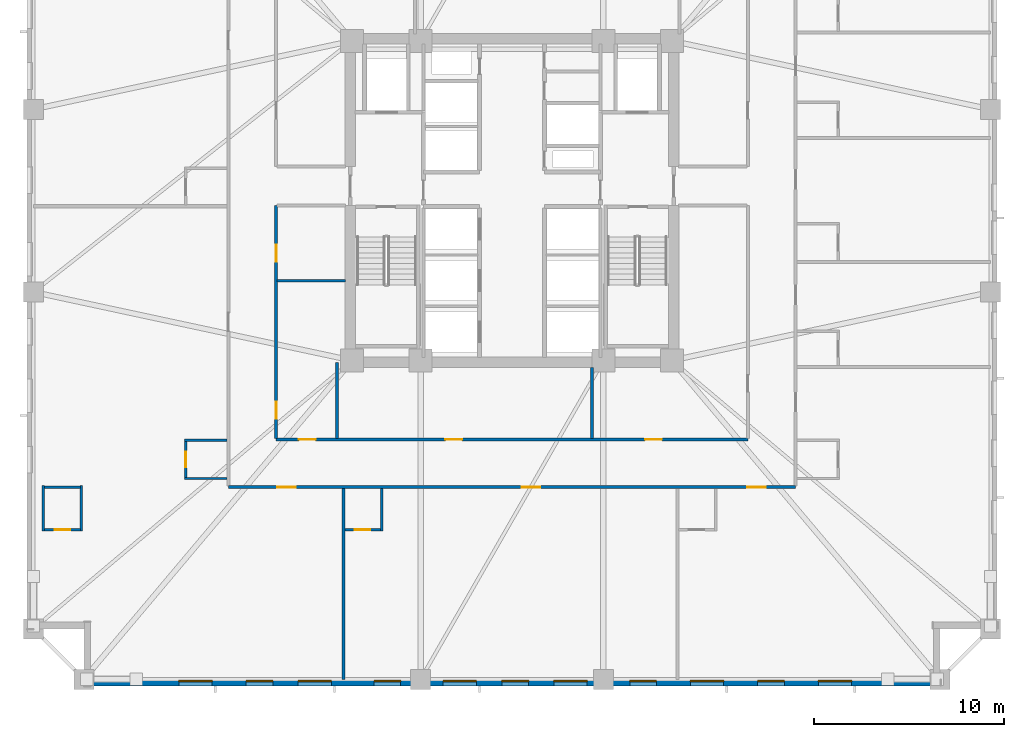
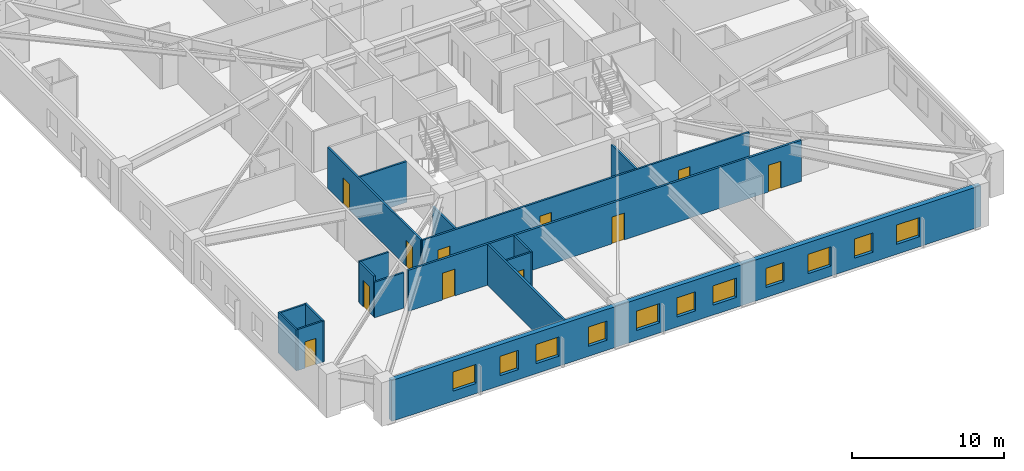
# One storey, part 2 of 11: 17 walls, 11 doors, 11 windows, 22 openings.
"""IFC4 building model written with IfcOpenShell, lengths in metres."""

from ifc_helpers import new_model, si_unit, direction, frame, frame_2d, origin, place, context, subcontext, project, spatial, rectangle, extrude, material, layer, layer_set, type_object, element, fill, save


model = new_model("IFC4")

# Units and contexts
model_context = context("Model", 3, precision=1e-05, world=origin(), true_north=direction((0.0, 1.0)))
body_context = subcontext(model_context, "Body", "Model", "MODEL_VIEW")
ifc_project = project(units=[si_unit("LENGTHUNIT", "METRE"), si_unit("AREAUNIT", "SQUARE_METRE"), si_unit("VOLUMEUNIT", "CUBIC_METRE"), si_unit("PLANEANGLEUNIT", "RADIAN"), si_unit("MASSUNIT", "GRAM", prefix="KILO")], contexts=[model_context])

# Site, building, storey
site_placement = place(None, origin())
site = spatial("IfcSite", under=ifc_project, at=site_placement, CompositionType="ELEMENT")
building_placement = place(site_placement, origin())
building = spatial("IfcBuilding", under=site, at=building_placement, Name="Cairnveth Concourse Tower", CompositionType="ELEMENT")
storey_placement = place(building_placement, frame((0.0, 0.0, 86.5)))
storey = spatial("IfcBuildingStorey", under=building, at=storey_placement, Name="L23", CompositionType="ELEMENT", Elevation=86.5)

# Wall, openings, doors
ifc_material_1 = material(Name="Gypsum Plasterboard Partition", Category="gypsum")
ifc_layer_1 = layer(ifc_material_1, 0.159912109375)
ifc_layer_set_1 = layer_set([ifc_layer_1], Name="Gypsum Plasterboard Partition")
wall_type_1 = type_object("IfcWallType", Name="ACOUSTIC PARTY WALL 180", PredefinedType="PARTITIONING", material=ifc_layer_set_1)
wall_1_placement = place(storey_placement, frame((37.10009765625, 23.949951171875, 0.0), z_axis=(0.0, 0.0, 1.0), x_axis=(1.0, 0.0, 0.0)))
wall_1 = element("IfcWall", 1, at=wall_1_placement, inside=storey, type_object=wall_type_1, Name="Interior Wall IW-L23-038", PredefinedType="PARTITIONING", context=body_context, shape_type="SweptSolid", body=[
    extrude(rectangle(XDim=29.7998046875, YDim=0.159912109375, at=frame_2d((14.89990234375, 0.0))), origin(), (0.0, 0.0, 1.0), 3.280029296875),
])
opening_1_placement = place(wall_1_placement, frame((2.5712890625, 0.0, 0.0)))
opening_1 = element("IfcOpeningElement", 2, at=opening_1_placement, cuts=wall_1, Name="Opening ID09", PredefinedType="OPENING", context=body_context, shape_type="SweptSolid", body=[
    extrude(rectangle(XDim=0.9599609375, YDim=2.14990234375, at=frame_2d((0.47998046875, 1.074951171875))), frame((0.0, 0.08984375, 0.0), z_axis=(0.0, -1.0, 0.0), x_axis=(1.0, 0.0, 0.0)), (0.0, 0.0, 1.0), 0.179931640625),
])
opening_2_placement = place(wall_1_placement, frame((15.419921875, 0.0, 0.0)))
opening_2 = element("IfcOpeningElement", 3, at=opening_2_placement, cuts=wall_1, Name="Opening ID09", PredefinedType="OPENING", context=body_context, shape_type="SweptSolid", body=[
    extrude(rectangle(XDim=0.9599609375, YDim=2.14990234375, at=frame_2d((0.47998046875, 1.074951171875))), frame((0.0, 0.08984375, 0.0), z_axis=(0.0, -1.0, 0.0), x_axis=(1.0, 0.0, 0.0)), (0.0, 0.0, 1.0), 0.179931640625),
])
opening_3_placement = place(wall_1_placement, frame((27.268798828125, 0.0, 0.0)))
opening_3 = element("IfcOpeningElement", 4, at=opening_3_placement, cuts=wall_1, Name="Opening ID09", PredefinedType="OPENING", context=body_context, shape_type="SweptSolid", body=[
    extrude(rectangle(XDim=0.9599609375, YDim=2.14990234375, at=frame_2d((0.47998046875, 1.074951171875))), frame((0.0, 0.08984375, 0.0), z_axis=(0.0, -1.0, 0.0), x_axis=(1.0, 0.0, 0.0)), (0.0, 0.0, 1.0), 0.179931640625),
])
ifc_material_2 = material(Name="Solid Core Hardwood Timber Leaf", Category="wood")
door_type_1 = type_object("IfcDoorType", Name="HOTEL ENTRANCE DOOR 960X2150", OperationType="NOTDEFINED", PredefinedType="DOOR", material=ifc_material_2)
door_1_placement = place(opening_1_placement, origin())
door_1 = element("IfcDoor", 5, at=door_1_placement, inside=storey, type_object=door_type_1, Name="Hotel Room Door L23-S1", OperationType="SINGLE_SWING_RIGHT", OverallHeight=2.14990234375, OverallWidth=0.9599609375, PredefinedType="DOOR", context=body_context, shape_type="SweptSolid", body=[
    extrude(rectangle(XDim=0.9599609375, YDim=2.14990234375, at=frame_2d((0.47998046875, 1.074951171875))), frame((0.0, 0.02490234375, 0.0), z_axis=(0.0, -1.0, 0.0), x_axis=(1.0, 0.0, 0.0)), (0.0, 0.0, 1.0), 0.050048828125),
])
fill(opening_1, door_1)
door_2_placement = place(opening_2_placement, origin())
door_2 = element("IfcDoor", 6, at=door_2_placement, inside=storey, type_object=door_type_1, Name="Hotel Room Door L23-S2", OperationType="SINGLE_SWING_RIGHT", OverallHeight=2.14990234375, OverallWidth=0.9599609375, PredefinedType="DOOR", context=body_context, shape_type="SweptSolid", body=[
    extrude(rectangle(XDim=0.9599609375, YDim=2.14990234375, at=frame_2d((0.47998046875, 1.074951171875))), frame((0.0, 0.02490234375, 0.0), z_axis=(0.0, -1.0, 0.0), x_axis=(1.0, 0.0, 0.0)), (0.0, 0.0, 1.0), 0.050048828125),
])
fill(opening_2, door_2)
door_3_placement = place(opening_3_placement, origin())
door_3 = element("IfcDoor", 7, at=door_3_placement, inside=storey, type_object=door_type_1, Name="Hotel Room Door L23-S3", OperationType="SINGLE_SWING_RIGHT", OverallHeight=2.14990234375, OverallWidth=0.9599609375, PredefinedType="DOOR", context=body_context, shape_type="SweptSolid", body=[
    extrude(rectangle(XDim=0.9599609375, YDim=2.14990234375, at=frame_2d((0.47998046875, 1.074951171875))), frame((0.0, 0.02490234375, 0.0), z_axis=(0.0, -1.0, 0.0), x_axis=(1.0, 0.0, 0.0)), (0.0, 0.0, 1.0), 0.050048828125),
])
fill(opening_3, door_3)

# Wall
wall_2_placement = place(storey_placement, frame((43.152587890625, 13.844970703125, 0.0), z_axis=(0.0, 0.0, 1.0), x_axis=(0.0, 1.0, 0.0)))
element("IfcWall", 8, at=wall_2_placement, inside=storey, type_object=wall_type_1, Name="Interior Wall IW-L23-061", PredefinedType="PARTITIONING", context=body_context, shape_type="SweptSolid", body=[
    extrude(rectangle(XDim=10.0400390625, YDim=0.159912109375, at=frame_2d((5.02001953125, 0.0))), origin(), (0.0, 0.0, 1.0), 3.280029296875),
])

# Wall, openings, doors
ifc_layer_2 = layer(ifc_material_1, 0.139892578125)
ifc_layer_set_2 = layer_set([ifc_layer_2], Name="Gypsum Plasterboard Partition")
wall_type_2 = type_object("IfcWallType", Name="GYPSUM STUD PARTITION 140", PredefinedType="PARTITIONING", material=ifc_layer_set_2)
wall_3_placement = place(storey_placement, frame((39.60009765625, 26.449951171875, 0.0), z_axis=(0.0, 0.0, 1.0), x_axis=(1.0, 0.0, 0.0)))
wall_3 = element("IfcWall", 9, at=wall_3_placement, inside=storey, type_object=wall_type_2, Name="Interior Wall IW-L23-042", PredefinedType="PARTITIONING", context=body_context, shape_type="SweptSolid", body=[
    extrude(rectangle(XDim=24.7998046875, YDim=0.139892578125, at=frame_2d((12.39990234375, 0.0))), origin(), (0.0, 0.0, 1.0), 3.280029296875),
])
opening_4_placement = place(wall_3_placement, frame((1.199951171875, 0.0, 0.0)))
opening_4 = element("IfcOpeningElement", 10, at=opening_4_placement, cuts=wall_3, Name="Opening ID18", PredefinedType="OPENING", context=body_context, shape_type="SweptSolid", body=[
    extrude(rectangle(XDim=0.8798828125, YDim=2.10009765625, at=frame_2d((0.43994140625, 1.050048828125))), frame((0.0, 0.079833984375, 0.0), z_axis=(0.0, -1.0, 0.0), x_axis=(1.0, 0.0, 0.0)), (0.0, 0.0, 1.0), 0.159912109375),
])
opening_5_placement = place(wall_3_placement, frame((8.89990234375, 0.0, 0.0)))
opening_5 = element("IfcOpeningElement", 11, at=opening_5_placement, cuts=wall_3, Name="Opening ID18", PredefinedType="OPENING", context=body_context, shape_type="SweptSolid", body=[
    extrude(rectangle(XDim=0.8798828125, YDim=2.10009765625, at=frame_2d((0.43994140625, 1.050048828125))), frame((0.0, 0.079833984375, 0.0), z_axis=(0.0, -1.0, 0.0), x_axis=(1.0, 0.0, 0.0)), (0.0, 0.0, 1.0), 0.159912109375),
])
opening_6_placement = place(wall_3_placement, frame((19.39990234375, 0.0, 0.0)))
opening_6 = element("IfcOpeningElement", 12, at=opening_6_placement, cuts=wall_3, Name="Opening ID18", PredefinedType="OPENING", context=body_context, shape_type="SweptSolid", body=[
    extrude(rectangle(XDim=0.8798828125, YDim=2.10009765625, at=frame_2d((0.43994140625, 1.050048828125))), frame((0.0, 0.079833984375, 0.0), z_axis=(0.0, -1.0, 0.0), x_axis=(1.0, 0.0, 0.0)), (0.0, 0.0, 1.0), 0.159912109375),
])
door_type_2 = type_object("IfcDoorType", Name="INTERIOR SINGLE DOOR 880X2100", OperationType="NOTDEFINED", PredefinedType="DOOR", material=ifc_material_2)
door_4_placement = place(opening_4_placement, origin())
door_4 = element("IfcDoor", 13, at=door_4_placement, inside=storey, type_object=door_type_2, Name="Interior Door DR-L23-014", OperationType="SINGLE_SWING_RIGHT", OverallHeight=2.10009765625, OverallWidth=0.8798828125, PredefinedType="DOOR", context=body_context, shape_type="SweptSolid", body=[
    extrude(rectangle(XDim=0.8798828125, YDim=2.10009765625, at=frame_2d((0.43994140625, 1.050048828125))), frame((0.0, 0.02490234375, 0.0), z_axis=(0.0, -1.0, 0.0), x_axis=(1.0, 0.0, 0.0)), (0.0, 0.0, 1.0), 0.050048828125),
])
fill(opening_4, door_4)
door_5_placement = place(opening_5_placement, origin())
door_5 = element("IfcDoor", 14, at=door_5_placement, inside=storey, type_object=door_type_2, Name="Interior Door DR-L23-015", OperationType="SINGLE_SWING_LEFT", OverallHeight=2.10009765625, OverallWidth=0.8798828125, PredefinedType="DOOR", context=body_context, shape_type="SweptSolid", body=[
    extrude(rectangle(XDim=0.8798828125, YDim=2.10009765625, at=frame_2d((0.43994140625, 1.050048828125))), frame((0.0, 0.02490234375, 0.0), z_axis=(0.0, -1.0, 0.0), x_axis=(1.0, 0.0, 0.0)), (0.0, 0.0, 1.0), 0.050048828125),
])
fill(opening_5, door_5)
door_6_placement = place(opening_6_placement, origin())
door_6 = element("IfcDoor", 15, at=door_6_placement, inside=storey, type_object=door_type_2, Name="Interior Door DR-L23-016", OperationType="SINGLE_SWING_RIGHT", OverallHeight=2.10009765625, OverallWidth=0.8798828125, PredefinedType="DOOR", context=body_context, shape_type="SweptSolid", body=[
    extrude(rectangle(XDim=0.8798828125, YDim=2.10009765625, at=frame_2d((0.43994140625, 1.050048828125))), frame((0.0, 0.02490234375, 0.0), z_axis=(0.0, -1.0, 0.0), x_axis=(1.0, 0.0, 0.0)), (0.0, 0.0, 1.0), 0.050048828125),
])
fill(opening_6, door_6)

wall_4_placement = place(storey_placement, frame((39.60009765625, 26.5048828125, 0.0), z_axis=(0.0, 0.0, 1.0), x_axis=(0.0, 1.0, 0.0)))
wall_4 = element("IfcWall", 16, at=wall_4_placement, inside=storey, type_object=wall_type_2, Name="Interior Wall IW-L23-044", PredefinedType="PARTITIONING", context=body_context, shape_type="SweptSolid", body=[
    extrude(rectangle(XDim=12.2451171875, YDim=0.139892578125, at=frame_2d((6.12255859375, 0.0))), origin(), (0.0, 0.0, 1.0), 3.280029296875),
])
opening_7_placement = place(wall_4_placement, frame((1.044921875, 0.0, 0.0)))
opening_7 = element("IfcOpeningElement", 17, at=opening_7_placement, cuts=wall_4, Name="Opening ID18", PredefinedType="OPENING", context=body_context, shape_type="SweptSolid", body=[
    extrude(rectangle(XDim=0.8798828125, YDim=2.10009765625, at=frame_2d((0.43994140625, 1.050048828125))), frame((0.0, 0.079833984375, 0.0), z_axis=(0.0, -1.0, 0.0), x_axis=(1.0, 0.0, 0.0)), (0.0, 0.0, 1.0), 0.159912109375),
])
opening_8_placement = place(wall_4_placement, frame((9.294921875, 0.0, 0.0)))
opening_8 = element("IfcOpeningElement", 18, at=opening_8_placement, cuts=wall_4, Name="Opening ID18", PredefinedType="OPENING", context=body_context, shape_type="SweptSolid", body=[
    extrude(rectangle(XDim=0.8798828125, YDim=2.10009765625, at=frame_2d((0.43994140625, 1.050048828125))), frame((0.0, 0.079833984375, 0.0), z_axis=(0.0, -1.0, 0.0), x_axis=(1.0, 0.0, 0.0)), (0.0, 0.0, 1.0), 0.159912109375),
])
door_7_placement = place(opening_7_placement, origin())
door_7 = element("IfcDoor", 19, at=door_7_placement, inside=storey, type_object=door_type_2, Name="Interior Door DR-L23-020", OperationType="SINGLE_SWING_RIGHT", OverallHeight=2.10009765625, OverallWidth=0.8798828125, PredefinedType="DOOR", context=body_context, shape_type="SweptSolid", body=[
    extrude(rectangle(XDim=0.8798828125, YDim=2.10009765625, at=frame_2d((0.43994140625, 1.050048828125))), frame((0.0, 0.02490234375, 0.0), z_axis=(0.0, -1.0, 0.0), x_axis=(1.0, 0.0, 0.0)), (0.0, 0.0, 1.0), 0.050048828125),
])
fill(opening_7, door_7)
door_8_placement = place(opening_8_placement, origin())
door_8 = element("IfcDoor", 20, at=door_8_placement, inside=storey, type_object=door_type_2, Name="Interior Door DR-L23-021", OperationType="SINGLE_SWING_LEFT", OverallHeight=2.10009765625, OverallWidth=0.8798828125, PredefinedType="DOOR", context=body_context, shape_type="SweptSolid", body=[
    extrude(rectangle(XDim=0.8798828125, YDim=2.10009765625, at=frame_2d((0.43994140625, 1.050048828125))), frame((0.0, 0.02490234375, 0.0), z_axis=(0.0, -1.0, 0.0), x_axis=(1.0, 0.0, 0.0)), (0.0, 0.0, 1.0), 0.050048828125),
])
fill(opening_8, door_8)

# Walls
wall_5_placement = place(storey_placement, frame((42.800048828125, 26.5048828125, 0.0), z_axis=(0.0, 0.0, 1.0), x_axis=(0.0, 1.0, 0.0)))
element("IfcWall", 21, at=wall_5_placement, inside=storey, type_object=wall_type_2, Name="Interior Wall IW-L23-052", PredefinedType="PARTITIONING", context=body_context, shape_type="SweptSolid", body=[
    extrude(rectangle(XDim=3.9951171875, YDim=0.139892578125, at=frame_2d((1.99755859375, 0.0))), origin(), (0.0, 0.0, 1.0), 2.43896484375),
])
wall_6_placement = place(storey_placement, frame((56.199951171875, 26.5048828125, 0.0), z_axis=(0.0, 0.0, 1.0), x_axis=(0.0, 1.0, 0.0)))
element("IfcWall", 22, at=wall_6_placement, inside=storey, type_object=wall_type_2, Name="Interior Wall IW-L23-053", PredefinedType="PARTITIONING", context=body_context, shape_type="SweptSolid", body=[
    extrude(rectangle(XDim=3.735107421875, YDim=0.139892578125, at=frame_2d((1.86767578125, 0.0))), origin(), (0.0, 0.0, 1.0), 2.84912109375),
])
wall_7_placement = place(storey_placement, frame((39.655029296875, 34.800048828125, 0.0), z_axis=(0.0, 0.0, 1.0), x_axis=(1.0, 0.0, 0.0)))
element("IfcWall", 23, at=wall_7_placement, inside=storey, type_object=wall_type_2, Name="Interior Wall IW-L23-056", PredefinedType="PARTITIONING", context=body_context, shape_type="SweptSolid", body=[
    extrude(rectangle(XDim=3.5849609375, YDim=0.139892578125, at=frame_2d((1.79248046875, 0.0))), origin(), (0.0, 0.0, 1.0), 3.280029296875),
])
ifc_layer_3 = layer(ifc_material_1, 0.1298828125)
ifc_layer_set_3 = layer_set([ifc_layer_3], Name="Gypsum Plasterboard Partition")
wall_type_3 = type_object("IfcWallType", Name="WET AREA PARTITION 140", PredefinedType="PLUMBINGWALL", material=ifc_layer_set_3)
for number, where, z_axis, x_axis, name in (
    (24, (27.3701171875, 21.64990234375, 0.0), (0.0, 0.0, 1.0), (0.0, 1.0, 0.0), "Interior Wall IW-L23-057"),
    (25, (29.3701171875, 21.64990234375, 0.0), (0.0, 0.0, 1.0), (0.0, 1.0, 0.0), "Interior Wall IW-L23-058"),
):
    element("IfcWall", number, at=place(storey_placement, frame(where, z_axis=z_axis, x_axis=x_axis)), inside=storey, type_object=wall_type_3, Name=name, PredefinedType="PLUMBINGWALL", context=body_context, shape_type="SweptSolid", body=[
        extrude(rectangle(XDim=2.380126953125, YDim=0.1298828125, at=frame_2d((1.18994140625, 0.0))), origin(), (0.0, 0.0, 1.0), 3.280029296875),
    ])

# Wall, opening, door
wall_8_placement = place(storey_placement, frame((27.419921875, 21.699951171875, 0.0), z_axis=(0.0, 0.0, 1.0), x_axis=(1.0, 0.0, 0.0)))
wall_8 = element("IfcWall", 26, at=wall_8_placement, inside=storey, type_object=wall_type_3, Name="Interior Wall IW-L23-059", PredefinedType="PLUMBINGWALL", context=body_context, shape_type="SweptSolid", body=[
    extrude(rectangle(XDim=1.900146484375, YDim=0.1298828125, at=frame_2d((0.9501953125, 0.0))), origin(), (0.0, 0.0, 1.0), 3.280029296875),
])
opening_9_placement = place(wall_8_placement, frame((0.5400390625, 0.0, 0.0)))
opening_9 = element("IfcOpeningElement", 27, at=opening_9_placement, cuts=wall_8, Name="Opening ID22", PredefinedType="OPENING", context=body_context, shape_type="SweptSolid", body=[
    extrude(rectangle(XDim=0.820068359375, YDim=2.10009765625, at=frame_2d((0.41015625, 1.050048828125))), frame((0.0, 0.074951171875, 0.0), z_axis=(0.0, -1.0, 0.0), x_axis=(1.0, 0.0, 0.0)), (0.0, 0.0, 1.0), 0.14990234375),
])
door_type_3 = type_object("IfcDoorType", Name="INTERIOR WC DOOR 820X2100", OperationType="NOTDEFINED", PredefinedType="DOOR", material=ifc_material_2)
door_9_placement = place(opening_9_placement, origin())
door_9 = element("IfcDoor", 28, at=door_9_placement, inside=storey, type_object=door_type_3, Name="En-Suite Door L23-S1", OperationType="SINGLE_SWING_LEFT", OverallHeight=2.10009765625, OverallWidth=0.820068359375, PredefinedType="DOOR", context=body_context, shape_type="SweptSolid", body=[
    extrude(rectangle(XDim=0.820068359375, YDim=2.10009765625, at=frame_2d((0.41015625, 1.050048828125))), frame((0.0, 0.02490234375, 0.0), z_axis=(0.0, -1.0, 0.0), x_axis=(1.0, 0.0, 0.0)), (0.0, 0.0, 1.0), 0.050048828125),
])
fill(opening_9, door_9)

# Walls
wall_9_placement = place(storey_placement, frame((27.419921875, 23.949951171875, 0.0), z_axis=(0.0, 0.0, 1.0), x_axis=(1.0, 0.0, 0.0)))
element("IfcWall", 29, at=wall_9_placement, inside=storey, type_object=wall_type_3, Name="Interior Wall IW-L23-060", PredefinedType="PLUMBINGWALL", context=body_context, shape_type="SweptSolid", body=[
    extrude(rectangle(XDim=1.900146484375, YDim=0.1298828125, at=frame_2d((0.9501953125, 0.0))), origin(), (0.0, 0.0, 1.0), 3.280029296875),
])
wall_10_placement = place(storey_placement, frame((45.152587890625, 21.64990234375, 0.0), z_axis=(0.0, 0.0, 1.0), x_axis=(0.0, 1.0, 0.0)))
element("IfcWall", 30, at=wall_10_placement, inside=storey, type_object=wall_type_3, Name="Interior Wall IW-L23-062", PredefinedType="PLUMBINGWALL", context=body_context, shape_type="SweptSolid", body=[
    extrude(rectangle(XDim=2.235107421875, YDim=0.1298828125, at=frame_2d((1.11767578125, 0.0))), origin(), (0.0, 0.0, 1.0), 3.280029296875),
])

# Wall, opening, door
wall_11_placement = place(storey_placement, frame((43.217529296875, 21.699951171875, 0.0), z_axis=(0.0, 0.0, 1.0), x_axis=(1.0, 0.0, 0.0)))
wall_11 = element("IfcWall", 31, at=wall_11_placement, inside=storey, type_object=wall_type_3, Name="Interior Wall IW-L23-063", PredefinedType="PLUMBINGWALL", context=body_context, shape_type="SweptSolid", body=[
    extrude(rectangle(XDim=1.885009765625, YDim=0.1298828125, at=frame_2d((0.9423828125, 0.0))), origin(), (0.0, 0.0, 1.0), 3.280029296875),
])
opening_10_placement = place(wall_11_placement, frame((0.52490234375, 0.0, 0.0)))
opening_10 = element("IfcOpeningElement", 32, at=opening_10_placement, cuts=wall_11, Name="Opening ID22", PredefinedType="OPENING", context=body_context, shape_type="SweptSolid", body=[
    extrude(rectangle(XDim=0.820068359375, YDim=2.10009765625, at=frame_2d((0.41015625, 1.050048828125))), frame((0.0, 0.074951171875, 0.0), z_axis=(0.0, -1.0, 0.0), x_axis=(1.0, 0.0, 0.0)), (0.0, 0.0, 1.0), 0.14990234375),
])
door_10_placement = place(opening_10_placement, origin())
door_10 = element("IfcDoor", 33, at=door_10_placement, inside=storey, type_object=door_type_3, Name="En-Suite Door L23-S2", OperationType="SINGLE_SWING_LEFT", OverallHeight=2.10009765625, OverallWidth=0.820068359375, PredefinedType="DOOR", context=body_context, shape_type="SweptSolid", body=[
    extrude(rectangle(XDim=0.820068359375, YDim=2.10009765625, at=frame_2d((0.41015625, 1.050048828125))), frame((0.0, 0.02490234375, 0.0), z_axis=(0.0, -1.0, 0.0), x_axis=(1.0, 0.0, 0.0)), (0.0, 0.0, 1.0), 0.050048828125),
])
fill(opening_10, door_10)

# Walls
wall_12_placement = place(storey_placement, frame((34.800048828125, 24.39990234375, 0.0), z_axis=(0.0, 0.0, 1.0), x_axis=(1.0, 0.0, 0.0)))
element("IfcWall", 34, at=wall_12_placement, inside=storey, type_object=wall_type_3, Name="Interior Wall IW-L23-089", PredefinedType="PLUMBINGWALL", context=body_context, shape_type="SweptSolid", body=[
    extrude(rectangle(XDim=2.23486328125, YDim=0.1298828125, at=frame_2d((1.117431640625, 0.0))), origin(), (0.0, 0.0, 1.0), 2.84912109375),
])
wall_13_placement = place(storey_placement, frame((34.800048828125, 26.39990234375, 0.0), z_axis=(0.0, 0.0, 1.0), x_axis=(1.0, 0.0, 0.0)))
element("IfcWall", 35, at=wall_13_placement, inside=storey, type_object=wall_type_3, Name="Interior Wall IW-L23-090", PredefinedType="PLUMBINGWALL", context=body_context, shape_type="SweptSolid", body=[
    extrude(rectangle(XDim=2.23486328125, YDim=0.1298828125, at=frame_2d((1.117431640625, 0.0))), origin(), (0.0, 0.0, 1.0), 3.280029296875),
])

# Wall, opening, door
wall_14_placement = place(storey_placement, frame((34.85009765625, 24.449951171875, 0.0), z_axis=(0.0, 0.0, 1.0), x_axis=(0.0, 1.0, 0.0)))
wall_14 = element("IfcWall", 36, at=wall_14_placement, inside=storey, type_object=wall_type_3, Name="Interior Wall IW-L23-091", PredefinedType="PLUMBINGWALL", context=body_context, shape_type="SweptSolid", body=[
    extrude(rectangle(XDim=1.900146484375, YDim=0.1298828125, at=frame_2d((0.9501953125, 0.0))), origin(), (0.0, 0.0, 1.0), 3.280029296875),
])
opening_11_placement = place(wall_14_placement, frame((0.5400390625, 0.0, 0.0)))
opening_11 = element("IfcOpeningElement", 37, at=opening_11_placement, cuts=wall_14, Name="Opening ID22", PredefinedType="OPENING", context=body_context, shape_type="SweptSolid", body=[
    extrude(rectangle(XDim=0.820068359375, YDim=2.10009765625, at=frame_2d((0.41015625, 1.050048828125))), frame((0.0, 0.074951171875, 0.0), z_axis=(0.0, -1.0, 0.0), x_axis=(1.0, 0.0, 0.0)), (0.0, 0.0, 1.0), 0.14990234375),
])
door_11_placement = place(opening_11_placement, origin())
door_11 = element("IfcDoor", 38, at=door_11_placement, inside=storey, type_object=door_type_3, Name="En-Suite Door L23-W1", OperationType="SINGLE_SWING_LEFT", OverallHeight=2.10009765625, OverallWidth=0.820068359375, PredefinedType="DOOR", context=body_context, shape_type="SweptSolid", body=[
    extrude(rectangle(XDim=0.820068359375, YDim=2.10009765625, at=frame_2d((0.41015625, 1.050048828125))), frame((0.0, 0.02490234375, 0.0), z_axis=(0.0, -1.0, 0.0), x_axis=(1.0, 0.0, 0.0)), (0.0, 0.0, 1.0), 0.050048828125),
])
fill(opening_11, door_11)

# Wall, openings, windows
ifc_material_3 = material(Name="Hawthorn Red-Ochre Fired Clay Brick Masonry", Category="masonry")
ifc_layer_4 = layer(ifc_material_3, 0.360107421875)
ifc_layer_set_4 = layer_set([ifc_layer_4], Name="Hawthorn Red-Ochre Fired Clay Brick Masonry")
wall_type_4 = type_object("IfcWallType", Name="ZONE 1 BRICK PIER SPANDREL WALL 360", PredefinedType="SOLIDWALL", material=ifc_layer_set_4)
wall_15_placement = place(storey_placement, frame((74.5, 13.679931640625, 0.0), z_axis=(0.0, 0.0, 1.0), x_axis=(-1.0, 0.0, 0.0)))
wall_15 = element("IfcWall", 39, at=wall_15_placement, inside=storey, type_object=wall_type_4, Name="Exterior Wall EW-L23-S06", PredefinedType="SOLIDWALL", context=body_context, shape_type="SweptSolid", body=[
    extrude(rectangle(XDim=44.662109375, YDim=0.360107421875, at=frame_2d((22.3310546875, 0.0))), origin(), (0.0, 0.0, 1.0), 3.280029296875),
])
opening_12_placement = place(wall_15_placement, frame((4.655029296875, 0.0, 0.800048828125)))
opening_12 = element("IfcOpeningElement", 40, at=opening_12_placement, cuts=wall_15, Name="Opening W06", PredefinedType="OPENING", context=body_context, shape_type="SweptSolid", body=[
    extrude(rectangle(XDim=1.75, YDim=1.5439453125, at=frame_2d((0.875, 0.77197265625))), frame((0.0, 0.18994140625, 0.0), z_axis=(0.0, -1.0, 0.0), x_axis=(1.0, 0.0, 0.0)), (0.0, 0.0, 1.0), 0.380126953125),
])
opening_13_placement = place(wall_15_placement, frame((8.190185546875, 0.0, 0.800048828125)))
opening_13 = element("IfcOpeningElement", 41, at=opening_13_placement, cuts=wall_15, Name="Opening W05", PredefinedType="OPENING", context=body_context, shape_type="SweptSolid", body=[
    extrude(rectangle(XDim=1.39990234375, YDim=1.5439453125, at=frame_2d((0.699951171875, 0.77197265625))), frame((0.0, 0.18994140625, 0.0), z_axis=(0.0, -1.0, 0.0), x_axis=(1.0, 0.0, 0.0)), (0.0, 0.0, 1.0), 0.380126953125),
])
opening_14_placement = place(wall_15_placement, frame((11.37548828125, 0.0, 0.800048828125)))
opening_14 = element("IfcOpeningElement", 42, at=opening_14_placement, cuts=wall_15, Name="Opening W06", PredefinedType="OPENING", context=body_context, shape_type="SweptSolid", body=[
    extrude(rectangle(XDim=1.75, YDim=1.5439453125, at=frame_2d((0.875, 0.77197265625))), frame((0.0, 0.18994140625, 0.0), z_axis=(0.0, -1.0, 0.0), x_axis=(1.0, 0.0, 0.0)), (0.0, 0.0, 1.0), 0.380126953125),
])
opening_15_placement = place(wall_15_placement, frame((14.91064453125, 0.0, 0.800048828125)))
opening_15 = element("IfcOpeningElement", 43, at=opening_15_placement, cuts=wall_15, Name="Opening W05", PredefinedType="OPENING", context=body_context, shape_type="SweptSolid", body=[
    extrude(rectangle(XDim=1.39990234375, YDim=1.5439453125, at=frame_2d((0.699951171875, 0.77197265625))), frame((0.0, 0.18994140625, 0.0), z_axis=(0.0, -1.0, 0.0), x_axis=(1.0, 0.0, 0.0)), (0.0, 0.0, 1.0), 0.380126953125),
])
opening_16_placement = place(wall_15_placement, frame((18.5458984375, 0.0, 0.800048828125)))
opening_16 = element("IfcOpeningElement", 44, at=opening_16_placement, cuts=wall_15, Name="Opening W06", PredefinedType="OPENING", context=body_context, shape_type="SweptSolid", body=[
    extrude(rectangle(XDim=1.75, YDim=1.5439453125, at=frame_2d((0.875, 0.77197265625))), frame((0.0, 0.18994140625, 0.0), z_axis=(0.0, -1.0, 0.0), x_axis=(1.0, 0.0, 0.0)), (0.0, 0.0, 1.0), 0.380126953125),
])
opening_17_placement = place(wall_15_placement, frame((21.631103515625, 0.0, 0.800048828125)))
opening_17 = element("IfcOpeningElement", 45, at=opening_17_placement, cuts=wall_15, Name="Opening W05", PredefinedType="OPENING", context=body_context, shape_type="SweptSolid", body=[
    extrude(rectangle(XDim=1.39990234375, YDim=1.5439453125, at=frame_2d((0.699951171875, 0.77197265625))), frame((0.0, 0.18994140625, 0.0), z_axis=(0.0, -1.0, 0.0), x_axis=(1.0, 0.0, 0.0)), (0.0, 0.0, 1.0), 0.380126953125),
])
opening_18_placement = place(wall_15_placement, frame((24.3662109375, 0.0, 0.800048828125)))
opening_18 = element("IfcOpeningElement", 46, at=opening_18_placement, cuts=wall_15, Name="Opening W06", PredefinedType="OPENING", context=body_context, shape_type="SweptSolid", body=[
    extrude(rectangle(XDim=1.75, YDim=1.5439453125, at=frame_2d((0.875, 0.77197265625))), frame((0.0, 0.18994140625, 0.0), z_axis=(0.0, -1.0, 0.0), x_axis=(1.0, 0.0, 0.0)), (0.0, 0.0, 1.0), 0.380126953125),
])
opening_19_placement = place(wall_15_placement, frame((28.351318359375, 0.0, 0.800048828125)))
opening_19 = element("IfcOpeningElement", 47, at=opening_19_placement, cuts=wall_15, Name="Opening W05", PredefinedType="OPENING", context=body_context, shape_type="SweptSolid", body=[
    extrude(rectangle(XDim=1.39990234375, YDim=1.5439453125, at=frame_2d((0.699951171875, 0.77197265625))), frame((0.0, 0.18994140625, 0.0), z_axis=(0.0, -1.0, 0.0), x_axis=(1.0, 0.0, 0.0)), (0.0, 0.0, 1.0), 0.380126953125),
])
opening_20_placement = place(wall_15_placement, frame((31.986572265625, 0.0, 0.800048828125)))
opening_20 = element("IfcOpeningElement", 48, at=opening_20_placement, cuts=wall_15, Name="Opening W06", PredefinedType="OPENING", context=body_context, shape_type="SweptSolid", body=[
    extrude(rectangle(XDim=1.75, YDim=1.5439453125, at=frame_2d((0.875, 0.77197265625))), frame((0.0, 0.18994140625, 0.0), z_axis=(0.0, -1.0, 0.0), x_axis=(1.0, 0.0, 0.0)), (0.0, 0.0, 1.0), 0.380126953125),
])
opening_21_placement = place(wall_15_placement, frame((35.07177734375, 0.0, 0.800048828125)))
opening_21 = element("IfcOpeningElement", 49, at=opening_21_placement, cuts=wall_15, Name="Opening W05", PredefinedType="OPENING", context=body_context, shape_type="SweptSolid", body=[
    extrude(rectangle(XDim=1.39990234375, YDim=1.5439453125, at=frame_2d((0.699951171875, 0.77197265625))), frame((0.0, 0.18994140625, 0.0), z_axis=(0.0, -1.0, 0.0), x_axis=(1.0, 0.0, 0.0)), (0.0, 0.0, 1.0), 0.380126953125),
])
opening_22_placement = place(wall_15_placement, frame((38.2568359375, 0.0, 0.800048828125)))
opening_22 = element("IfcOpeningElement", 50, at=opening_22_placement, cuts=wall_15, Name="Opening W06", PredefinedType="OPENING", context=body_context, shape_type="SweptSolid", body=[
    extrude(rectangle(XDim=1.75, YDim=1.5439453125, at=frame_2d((0.875, 0.77197265625))), frame((0.0, 0.18994140625, 0.0), z_axis=(0.0, -1.0, 0.0), x_axis=(1.0, 0.0, 0.0)), (0.0, 0.0, 1.0), 0.380126953125),
])
ifc_material_4 = material(Name="Double Glazed Low-E Clear Glass", Category="glass")
window_type_1 = type_object("IfcWindowType", Name="DEEP-SET HOTEL CASEMENT WINDOW 1400X1750", PartitioningType="DOUBLE_PANEL_VERTICAL", PredefinedType="WINDOW", material=ifc_material_4)
window_1_placement = place(opening_13_placement, origin())
window_1 = element("IfcWindow", 51, at=window_1_placement, inside=storey, type_object=window_type_1, Name="Gothic Lancet Window L23-6-2", OverallHeight=1.5439453125, OverallWidth=1.39990234375, PartitioningType="SINGLE_PANEL", PredefinedType="WINDOW", context=body_context, shape_type="SweptSolid", body=[
    extrude(rectangle(XDim=1.39990234375, YDim=1.5439453125, at=frame_2d((0.699951171875, 0.77197265625))), frame((0.0, -0.050048828125, 0.0), z_axis=(0.0, -1.0, 0.0), x_axis=(1.0, 0.0, 0.0)), (0.0, 0.0, 1.0), 0.06005859375),
])
fill(opening_13, window_1)
window_2_placement = place(opening_15_placement, origin())
window_2 = element("IfcWindow", 52, at=window_2_placement, inside=storey, type_object=window_type_1, Name="Gothic Lancet Window L23-6-4", OverallHeight=1.5439453125, OverallWidth=1.39990234375, PartitioningType="SINGLE_PANEL", PredefinedType="WINDOW", context=body_context, shape_type="SweptSolid", body=[
    extrude(rectangle(XDim=1.39990234375, YDim=1.5439453125, at=frame_2d((0.699951171875, 0.77197265625))), frame((0.0, -0.050048828125, 0.0), z_axis=(0.0, -1.0, 0.0), x_axis=(1.0, 0.0, 0.0)), (0.0, 0.0, 1.0), 0.06005859375),
])
fill(opening_15, window_2)
window_3_placement = place(opening_17_placement, origin())
window_3 = element("IfcWindow", 53, at=window_3_placement, inside=storey, type_object=window_type_1, Name="Gothic Lancet Window L23-6-6", OverallHeight=1.5439453125, OverallWidth=1.39990234375, PartitioningType="SINGLE_PANEL", PredefinedType="WINDOW", context=body_context, shape_type="SweptSolid", body=[
    extrude(rectangle(XDim=1.39990234375, YDim=1.5439453125, at=frame_2d((0.699951171875, 0.77197265625))), frame((0.0, -0.050048828125, 0.0), z_axis=(0.0, -1.0, 0.0), x_axis=(1.0, 0.0, 0.0)), (0.0, 0.0, 1.0), 0.06005859375),
])
fill(opening_17, window_3)
window_4_placement = place(opening_19_placement, origin())
window_4 = element("IfcWindow", 54, at=window_4_placement, inside=storey, type_object=window_type_1, Name="Gothic Lancet Window L23-6-8", OverallHeight=1.5439453125, OverallWidth=1.39990234375, PartitioningType="SINGLE_PANEL", PredefinedType="WINDOW", context=body_context, shape_type="SweptSolid", body=[
    extrude(rectangle(XDim=1.39990234375, YDim=1.5439453125, at=frame_2d((0.699951171875, 0.77197265625))), frame((0.0, -0.050048828125, 0.0), z_axis=(0.0, -1.0, 0.0), x_axis=(1.0, 0.0, 0.0)), (0.0, 0.0, 1.0), 0.06005859375),
])
fill(opening_19, window_4)
window_5_placement = place(opening_21_placement, origin())
window_5 = element("IfcWindow", 55, at=window_5_placement, inside=storey, type_object=window_type_1, Name="Gothic Lancet Window L23-6-10", OverallHeight=1.5439453125, OverallWidth=1.39990234375, PartitioningType="SINGLE_PANEL", PredefinedType="WINDOW", context=body_context, shape_type="SweptSolid", body=[
    extrude(rectangle(XDim=1.39990234375, YDim=1.5439453125, at=frame_2d((0.699951171875, 0.77197265625))), frame((0.0, -0.050048828125, 0.0), z_axis=(0.0, -1.0, 0.0), x_axis=(1.0, 0.0, 0.0)), (0.0, 0.0, 1.0), 0.06005859375),
])
fill(opening_21, window_5)
window_type_2 = type_object("IfcWindowType", Name="DEEP-SET HOTEL SUITE WINDOW 1750X1800", PartitioningType="DOUBLE_PANEL_VERTICAL", PredefinedType="WINDOW", material=ifc_material_4)
window_6_placement = place(opening_12_placement, origin())
window_6 = element("IfcWindow", 56, at=window_6_placement, inside=storey, type_object=window_type_2, Name="Gothic Lancet Window L23-6-1", OverallHeight=1.5439453125, OverallWidth=1.75, PartitioningType="SINGLE_PANEL", PredefinedType="WINDOW", context=body_context, shape_type="SweptSolid", body=[
    extrude(rectangle(XDim=1.75, YDim=1.5439453125, at=frame_2d((0.875, 0.77197265625))), frame((0.0, -0.050048828125, 0.0), z_axis=(0.0, -1.0, 0.0), x_axis=(1.0, 0.0, 0.0)), (0.0, 0.0, 1.0), 0.06005859375),
])
fill(opening_12, window_6)
window_7_placement = place(opening_14_placement, origin())
window_7 = element("IfcWindow", 57, at=window_7_placement, inside=storey, type_object=window_type_2, Name="Gothic Lancet Window L23-6-3", OverallHeight=1.5439453125, OverallWidth=1.75, PartitioningType="SINGLE_PANEL", PredefinedType="WINDOW", context=body_context, shape_type="SweptSolid", body=[
    extrude(rectangle(XDim=1.75, YDim=1.5439453125, at=frame_2d((0.875, 0.77197265625))), frame((0.0, -0.050048828125, 0.0), z_axis=(0.0, -1.0, 0.0), x_axis=(1.0, 0.0, 0.0)), (0.0, 0.0, 1.0), 0.06005859375),
])
fill(opening_14, window_7)
window_8_placement = place(opening_16_placement, origin())
window_8 = element("IfcWindow", 58, at=window_8_placement, inside=storey, type_object=window_type_2, Name="Gothic Lancet Window L23-6-5", OverallHeight=1.5439453125, OverallWidth=1.75, PartitioningType="SINGLE_PANEL", PredefinedType="WINDOW", context=body_context, shape_type="SweptSolid", body=[
    extrude(rectangle(XDim=1.75, YDim=1.5439453125, at=frame_2d((0.875, 0.77197265625))), frame((0.0, -0.050048828125, 0.0), z_axis=(0.0, -1.0, 0.0), x_axis=(1.0, 0.0, 0.0)), (0.0, 0.0, 1.0), 0.06005859375),
])
fill(opening_16, window_8)
window_9_placement = place(opening_18_placement, origin())
window_9 = element("IfcWindow", 59, at=window_9_placement, inside=storey, type_object=window_type_2, Name="Gothic Lancet Window L23-6-7", OverallHeight=1.5439453125, OverallWidth=1.75, PartitioningType="SINGLE_PANEL", PredefinedType="WINDOW", context=body_context, shape_type="SweptSolid", body=[
    extrude(rectangle(XDim=1.75, YDim=1.5439453125, at=frame_2d((0.875, 0.77197265625))), frame((0.0, -0.050048828125, 0.0), z_axis=(0.0, -1.0, 0.0), x_axis=(1.0, 0.0, 0.0)), (0.0, 0.0, 1.0), 0.06005859375),
])
fill(opening_18, window_9)
window_10_placement = place(opening_20_placement, origin())
window_10 = element("IfcWindow", 60, at=window_10_placement, inside=storey, type_object=window_type_2, Name="Gothic Lancet Window L23-6-9", OverallHeight=1.5439453125, OverallWidth=1.75, PartitioningType="SINGLE_PANEL", PredefinedType="WINDOW", context=body_context, shape_type="SweptSolid", body=[
    extrude(rectangle(XDim=1.75, YDim=1.5439453125, at=frame_2d((0.875, 0.77197265625))), frame((0.0, -0.050048828125, 0.0), z_axis=(0.0, -1.0, 0.0), x_axis=(1.0, 0.0, 0.0)), (0.0, 0.0, 1.0), 0.06005859375),
])
fill(opening_20, window_10)
window_11_placement = place(opening_22_placement, origin())
window_11 = element("IfcWindow", 61, at=window_11_placement, inside=storey, type_object=window_type_2, Name="Gothic Lancet Window L23-6-11", OverallHeight=1.5439453125, OverallWidth=1.75, PartitioningType="SINGLE_PANEL", PredefinedType="WINDOW", context=body_context, shape_type="SweptSolid", body=[
    extrude(rectangle(XDim=1.75, YDim=1.5439453125, at=frame_2d((0.875, 0.77197265625))), frame((0.0, -0.050048828125, 0.0), z_axis=(0.0, -1.0, 0.0), x_axis=(1.0, 0.0, 0.0)), (0.0, 0.0, 1.0), 0.06005859375),
])
fill(opening_22, window_11)

save(model, "model.ifc")
